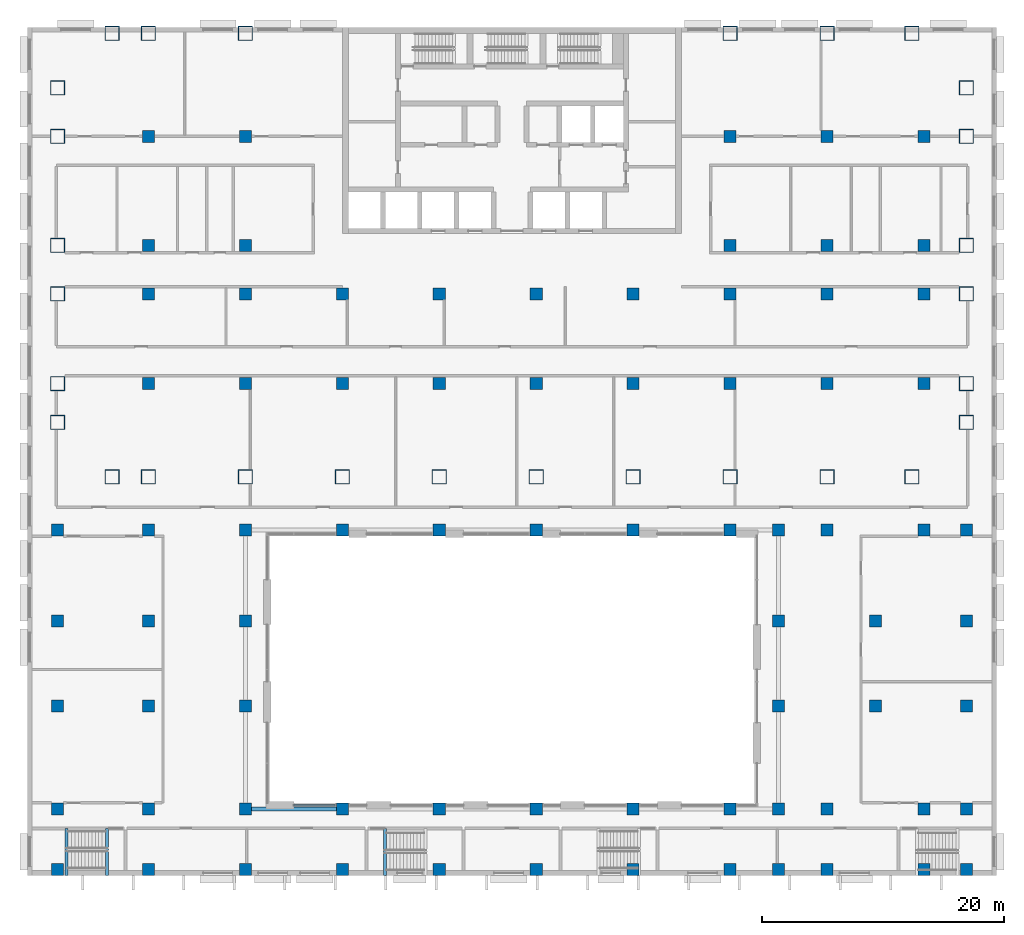
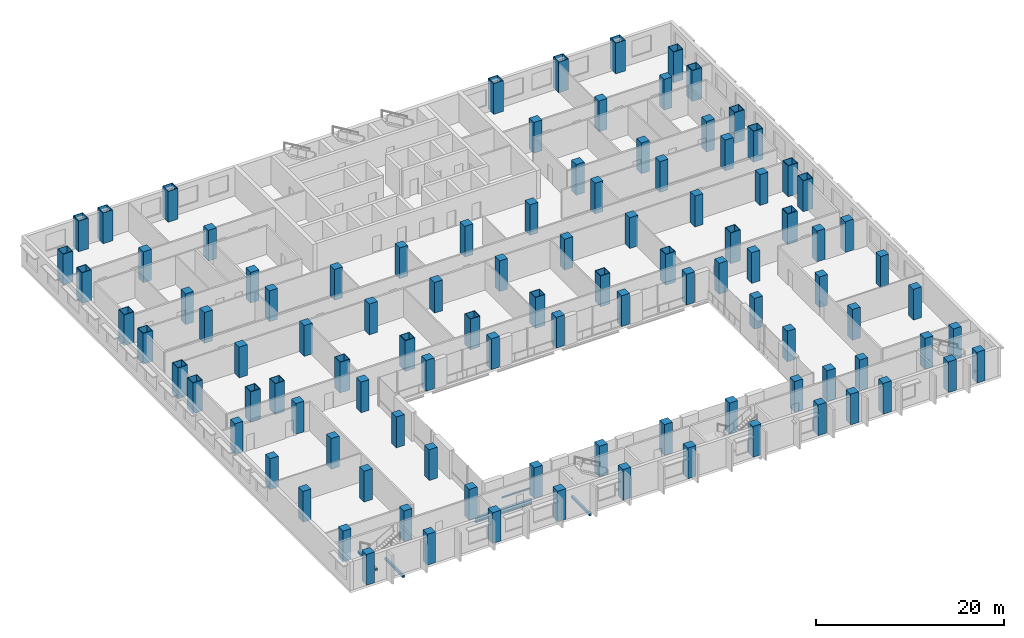
# One storey, part 1 of 25: 104 columns, 4 beams, 1 member, 1 element without a shape of its own.
"""IFC4 building model written with IfcOpenShell, lengths in metres."""

from ifc_helpers import new_model, si_unit, direction, frame, origin, origin_2d, place, context, subcontext, project, spatial, rectangle, hollow_rectangle, i_section, extrude, material, material_profile, profile_set, type_object, element, aggregate, save


model = new_model("IFC4")

# Units and contexts
model_context = context("Model", 3, precision=1e-05, world=origin(), true_north=direction((0.0, 1.0)))
body_context = subcontext(model_context, "Body", "Model", "MODEL_VIEW")
ifc_project = project(units=[si_unit("LENGTHUNIT", "METRE"), si_unit("AREAUNIT", "SQUARE_METRE"), si_unit("VOLUMEUNIT", "CUBIC_METRE"), si_unit("PLANEANGLEUNIT", "RADIAN"), si_unit("MASSUNIT", "GRAM", prefix="KILO")], contexts=[model_context])

# Site, building, storey
site_placement = place(None, origin())
site = spatial("IfcSite", under=ifc_project, at=site_placement, CompositionType="ELEMENT")
building_placement = place(site_placement, origin())
building = spatial("IfcBuilding", under=site, at=building_placement, Name="Vidyagriha Tower", CompositionType="ELEMENT")
storey_placement = place(building_placement, frame((0.0, 0.0, 10.0)))
storey = spatial("IfcBuildingStorey", under=building, at=storey_placement, Name="L02", CompositionType="ELEMENT", Elevation=10.0)

# Columns
ifc_material_1 = material(Name="Steel ASTM A572 Grade 50", Category="steel")
ifc_material_profile_1 = material_profile(ifc_material_1, hollow_rectangle(XDim=1.199951171875, YDim=1.199951171875, WallThickness=0.06005859375, at=origin_2d()), Name="BOX 1200x1200x60")
ifc_profile_set_1 = profile_set([ifc_material_profile_1], Name="Steel ASTM A572 Grade 50")
column_type_1 = type_object("IfcColumnType", Name="Exoskeleton column BOX 1200x1200x60", PredefinedType="COLUMN", material=ifc_profile_set_1)
for number, where, name in (
    (1, (-33.0, -17.10009765625, 0.0), "st-col-L02-B1-001"),
    (2, (-30.0, -17.10009765625, 0.0), "st-col-L02-B1-002"),
    (3, (-22.0, -17.10009765625, 0.0), "st-col-L02-B1-003"),
    (4, (-14.0, -17.10009765625, 0.0), "st-col-L02-B1-004"),
    (5, (-6.0, -17.10009765625, 0.0), "st-col-L02-B1-005"),
    (6, (2.0, -17.10009765625, 0.0), "st-col-L02-B1-006"),
    (7, (10.0, -17.10009765625, 0.0), "st-col-L02-B1-007"),
    (8, (18.0, -17.10009765625, 0.0), "st-col-L02-B1-008"),
    (9, (26.0, -17.10009765625, 0.0), "st-col-L02-B1-009"),
    (10, (33.0, -17.10009765625, 0.0), "st-col-L02-B1-010"),
    (11, (-37.5, -12.60009765625, 0.0), "st-col-L02-B1-011"),
    (12, (37.5, -12.60009765625, 0.0), "st-col-L02-B1-012"),
    (13, (-37.5, -9.39990234375, 0.0), "st-col-L02-B1-013"),
    (14, (37.5, -9.39990234375, 0.0), "st-col-L02-B1-023"),
    (15, (-37.5, -2.0, 0.0), "st-col-L02-B1-024"),
    (16, (37.5, -2.0, 0.0), "st-col-L02-B1-034"),
    (17, (-37.5, 2.0, 0.0), "st-col-L02-B1-035"),
    (18, (37.5, 2.0, 0.0), "st-col-L02-B1-041"),
    (19, (-37.5, 11.0, 0.0), "st-col-L02-B1-042"),
    (20, (37.5, 11.0, 0.0), "st-col-L02-B1-048"),
    (21, (-37.5, 15.0, 0.0), "st-col-L02-B1-049"),
    (22, (37.5, 15.0, 0.0), "st-col-L02-B1-050"),
    (23, (-33.0, 19.5, 0.0), "st-col-L02-B1-051"),
    (24, (-30.0, 19.5, 0.0), "st-col-L02-B1-052"),
    (25, (-22.0, 19.5, 0.0), "st-col-L02-B1-053"),
    (26, (18.0, 19.5, 0.0), "st-col-L02-B1-054"),
    (27, (26.0, 19.5, 0.0), "st-col-L02-B1-055"),
    (28, (33.0, 19.5, 0.0), "st-col-L02-B1-056"),
):
    element("IfcColumn", number, at=place(storey_placement, frame(where)), inside=storey, type_object=column_type_1, Name=name, PredefinedType="COLUMN", context=body_context, shape_type="SweptSolid", body=[
        extrude(hollow_rectangle(XDim=1.199951171875, YDim=1.199951171875, WallThickness=0.06005859375, at=origin_2d()), origin(), (0.0, 0.0, 1.0), 4.0),
    ])
ifc_material_2 = material(Name="Concrete C80/95", Category="concrete")
ifc_material_profile_2 = material_profile(ifc_material_2, rectangle(XDim=1.0, YDim=1.0, at=origin_2d()), Name="RC 1000x1000")
ifc_profile_set_2 = profile_set([ifc_material_profile_2], Name="Concrete C80/95")
column_type_2 = type_object("IfcColumnType", Name="Frame column RC 1000x1000", PredefinedType="COLUMN", material=ifc_profile_set_2)
for number, where, name in (
    (29, (-30.0, -9.39990234375, 0.0), "st-col-L02-B1-014"),
    (30, (-22.0, -9.39990234375, 0.0), "st-col-L02-B1-015"),
    (31, (-14.0, -9.39990234375, 0.0), "st-col-L02-B1-016"),
    (32, (-6.0, -9.39990234375, 0.0), "st-col-L02-B1-017"),
    (33, (2.0, -9.39990234375, 0.0), "st-col-L02-B1-018"),
    (34, (10.0, -9.39990234375, 0.0), "st-col-L02-B1-019"),
    (35, (18.0, -9.39990234375, 0.0), "st-col-L02-B1-020"),
    (36, (26.0, -9.39990234375, 0.0), "st-col-L02-B1-021"),
    (37, (34.0, -9.39990234375, 0.0), "st-col-L02-B1-022"),
    (38, (-30.0, -2.0, 0.0), "st-col-L02-B1-025"),
    (39, (-22.0, -2.0, 0.0), "st-col-L02-B1-026"),
    (40, (-14.0, -2.0, 0.0), "st-col-L02-B1-027"),
    (41, (-6.0, -2.0, 0.0), "st-col-L02-B1-028"),
    (42, (2.0, -2.0, 0.0), "st-col-L02-B1-029"),
    (43, (10.0, -2.0, 0.0), "st-col-L02-B1-030"),
    (44, (18.0, -2.0, 0.0), "st-col-L02-B1-031"),
    (45, (26.0, -2.0, 0.0), "st-col-L02-B1-032"),
    (46, (34.0, -2.0, 0.0), "st-col-L02-B1-033"),
    (47, (-30.0, 2.0, 0.0), "st-col-L02-B1-036"),
    (48, (-22.0, 2.0, 0.0), "st-col-L02-B1-037"),
    (49, (18.0, 2.0, 0.0), "st-col-L02-B1-038"),
    (50, (26.0, 2.0, 0.0), "st-col-L02-B1-039"),
    (51, (34.0, 2.0, 0.0), "st-col-L02-B1-040"),
    (52, (-30.0, 11.0, 0.0), "st-col-L02-B1-043"),
    (53, (-22.0, 11.0, 0.0), "st-col-L02-B1-044"),
    (54, (18.0, 11.0, 0.0), "st-col-L02-B1-045"),
    (55, (26.0, 11.0, 0.0), "st-col-L02-B1-046"),
    (56, (34.0, 11.0, 0.0), "st-col-L02-B1-047"),
):
    element("IfcColumn", number, at=place(storey_placement, frame(where)), inside=storey, type_object=column_type_2, Name=name, PredefinedType="COLUMN", context=body_context, shape_type="SweptSolid", body=[
        extrude(rectangle(XDim=1.0, YDim=1.0, at=origin_2d()), origin(), (0.0, 0.0, 1.0), 4.0),
    ])
ifc_material_3 = material(Name="Concrete C80/95", Category="concrete")
ifc_material_profile_3 = material_profile(ifc_material_3, rectangle(XDim=1.0, YDim=1.0, at=origin_2d()), Name="RC 1000x1000")
ifc_profile_set_3 = profile_set([ifc_material_profile_3], Name="Concrete C80/95")
column_type_3 = type_object("IfcColumnType", Name="Podium column RC 1000x1000", PredefinedType="COLUMN", material=ifc_profile_set_3)
for number, where, name in (
    (57, (-37.5, -49.5, 0.0), "st-col-L02-P-057"),
    (58, (-30.0, -49.5, 0.0), "st-col-L02-P-058"),
    (59, (-22.0, -49.5, 0.0), "st-col-L02-P-059"),
    (60, (-14.0, -49.5, 0.0), "st-col-L02-P-060"),
    (61, (-6.0, -49.5, 0.0), "st-col-L02-P-061"),
    (62, (2.0, -49.5, 0.0), "st-col-L02-P-062"),
    (63, (10.0, -49.5, 0.0), "st-col-L02-P-063"),
    (64, (18.0, -49.5, 0.0), "st-col-L02-P-064"),
    (65, (22.0, -49.5, 0.0), "st-col-L02-P-065"),
    (66, (26.0, -49.5, 0.0), "st-col-L02-P-066"),
    (67, (34.0, -49.5, 0.0), "st-col-L02-P-067"),
    (68, (37.5, -49.5, 0.0), "st-col-L02-P-068"),
    (69, (-37.5, -44.5, 0.0), "st-col-L02-P-069"),
    (70, (-30.0, -44.5, 0.0), "st-col-L02-P-070"),
    (71, (-22.0, -44.5, 0.0), "st-col-L02-P-071"),
    (72, (-14.0, -44.5, 0.0), "st-col-L02-P-072"),
    (73, (-6.0, -44.5, 0.0), "st-col-L02-P-073"),
    (74, (2.0, -44.5, 0.0), "st-col-L02-P-074"),
    (75, (10.0, -44.5, 0.0), "st-col-L02-P-075"),
    (76, (18.0, -44.5, 0.0), "st-col-L02-P-076"),
    (77, (22.0, -44.5, 0.0), "st-col-L02-P-077"),
    (78, (26.0, -44.5, 0.0), "st-col-L02-P-078"),
    (79, (34.0, -44.5, 0.0), "st-col-L02-P-079"),
    (80, (37.5, -44.5, 0.0), "st-col-L02-P-080"),
    (81, (-37.5, -36.0, 0.0), "st-col-L02-P-081"),
    (82, (-30.0, -36.0, 0.0), "st-col-L02-P-082"),
    (83, (-22.0, -36.0, 0.0), "st-col-L02-P-083"),
    (84, (22.0, -36.0, 0.0), "st-col-L02-P-084"),
    (85, (30.0, -36.0, 0.0), "st-col-L02-P-085"),
    (86, (37.5, -36.0, 0.0), "st-col-L02-P-086"),
    (87, (-37.5, -29.0, 0.0), "st-col-L02-P-087"),
    (88, (-30.0, -29.0, 0.0), "st-col-L02-P-088"),
    (89, (-22.0, -29.0, 0.0), "st-col-L02-P-089"),
    (90, (22.0, -29.0, 0.0), "st-col-L02-P-090"),
    (91, (30.0, -29.0, 0.0), "st-col-L02-P-091"),
    (92, (37.5, -29.0, 0.0), "st-col-L02-P-092"),
    (93, (-37.5, -21.5, 0.0), "st-col-L02-P-093"),
    (94, (-30.0, -21.5, 0.0), "st-col-L02-P-094"),
    (95, (-22.0, -21.5, 0.0), "st-col-L02-P-095"),
    (96, (-14.0, -21.5, 0.0), "st-col-L02-P-096"),
    (97, (-6.0, -21.5, 0.0), "st-col-L02-P-097"),
    (98, (2.0, -21.5, 0.0), "st-col-L02-P-098"),
    (99, (10.0, -21.5, 0.0), "st-col-L02-P-099"),
    (100, (18.0, -21.5, 0.0), "st-col-L02-P-100"),
    (101, (22.0, -21.5, 0.0), "st-col-L02-P-101"),
    (102, (26.0, -21.5, 0.0), "st-col-L02-P-102"),
    (103, (34.0, -21.5, 0.0), "st-col-L02-P-103"),
    (104, (37.5, -21.5, 0.0), "st-col-L02-P-104"),
):
    element("IfcColumn", number, at=place(storey_placement, frame(where)), inside=storey, type_object=column_type_3, Name=name, PredefinedType="COLUMN", context=body_context, shape_type="SweptSolid", body=[
        extrude(rectangle(XDim=1.0, YDim=1.0, at=origin_2d()), origin(), (0.0, 0.0, 1.0), 4.0),
    ])

# Beams
ifc_material_4 = material(Name="Steel ASTM A992 Grade 50", Category="steel")
ifc_material_profile_4 = material_profile(ifc_material_4, i_section(OverallWidth=0.32373046875, OverallDepth=0.612060546875, WebThickness=0.0126953125, FlangeThickness=0.01904296875, at=origin_2d()), Name="W24X104")
ifc_profile_set_4 = profile_set([ifc_material_profile_4], Name="Steel ASTM A992 Grade 50")
beam_type_1 = type_object("IfcBeamType", Name="Atrium edge beam W24X104", PredefinedType="BEAM", material=ifc_profile_set_4)
beam_placement = place(storey_placement, frame((-21.5, -44.5, -0.60595703125), z_axis=(1.0, 0.0, 0.0), x_axis=(0.0, 1.0, 0.0)))
element("IfcBeam", 105, at=beam_placement, inside=storey, type_object=beam_type_1, Name="st-beam-L02-AT01", PredefinedType="BEAM", context=body_context, shape_type="SweptSolid", body=[
    extrude(i_section(OverallWidth=0.32373046875, OverallDepth=0.612060546875, WebThickness=0.0126953125, FlangeThickness=0.01904296875, at=origin_2d()), origin(), (0.0, 0.0, 1.0), 7.0),
])
ifc_material_5 = material(Name="Concrete C40/50", Category="concrete")
ifc_material_profile_5 = material_profile(ifc_material_5, rectangle(XDim=0.25, YDim=0.300048828125, at=origin_2d()), Name="Stair landing bearing beam 250x300")
ifc_profile_set_5 = profile_set([ifc_material_profile_5], Name="Concrete C40/50")
beam_type_2 = type_object("IfcBeamType", Name="Stair landing bearing beam 250x300", PredefinedType="BEAM", material=ifc_profile_set_5)
for number, where, z_axis, x_axis, name in (
    (106, (-33.419921875, -50.0, -0.449951171875), (0.0, 1.0, 0.0), (-1.0, 0.0, 0.0), "PS1 floor landing bearing beam L02"),
    (107, (-36.760009765625, -50.0, 1.64990234375), (0.0, 1.0, 0.0), (-1.0, 0.0, 0.0), "PS1 landing bearing beam L02"),
    (108, (-10.47998046875, -50.0, -0.449951171875), (0.0, 1.0, 0.0), (-1.0, 0.0, 0.0), "PS3 floor landing bearing beam L02"),
):
    element("IfcBeam", number, at=place(storey_placement, frame(where, z_axis=z_axis, x_axis=x_axis)), inside=storey, type_object=beam_type_2, Name=name, PredefinedType="BEAM", context=body_context, shape_type="SweptSolid", body=[
        extrude(rectangle(XDim=0.25, YDim=0.300048828125, at=origin_2d()), origin(), (0.0, 0.0, 1.0), 3.89990234375),
    ])

# Curtain wall, member
ifc_material_6 = material(Name="Aluminium and glass curtain wall", Category="aluminium")
curtain_wall_type = type_object("IfcCurtainWallType", Name="Atrium screen curtain wall", PredefinedType="USERDEFINED", material=ifc_material_6)
curtain_wall_placement = place(storey_placement, origin())
curtain_wall = element("IfcCurtainWall", 109, at=curtain_wall_placement, inside=storey, type_object=curtain_wall_type, Name="CW6 atrium screen", ObjectType="UNITISED", PredefinedType="USERDEFINED")
ifc_material_7 = material(Name="Aluminium black anodised", Category="aluminium")
ifc_material_profile_6 = material_profile(ifc_material_7, rectangle(XDim=0.159912109375, YDim=0.10009765625, at=origin_2d()), Name="Transom 100x160 black aluminium")
ifc_profile_set_6 = profile_set([ifc_material_profile_6], Name="Aluminium black anodised")
member_type = type_object("IfcMemberType", Name="Transom 100x160 black aluminium", PredefinedType="USERDEFINED", material=ifc_profile_set_6)
member_placement = place(storey_placement, frame((-14.60009765625, -44.199951171875, 0.89990234375), z_axis=(-1.0, 0.0, 0.0), x_axis=(0.0, -1.0, 0.0)))
member = element("IfcMember", 110, at=member_placement, type_object=member_type, Name="CW6 transom 1.1", ObjectType="TRANSOM", PredefinedType="USERDEFINED", context=body_context, shape_type="SweptSolid", body=[
    extrude(rectangle(XDim=0.159912109375, YDim=0.10009765625, at=origin_2d()), origin(), (0.0, 0.0, 1.0), 3.39990234375),
])
aggregate(curtain_wall, [member])

save(model, "model.ifc")
